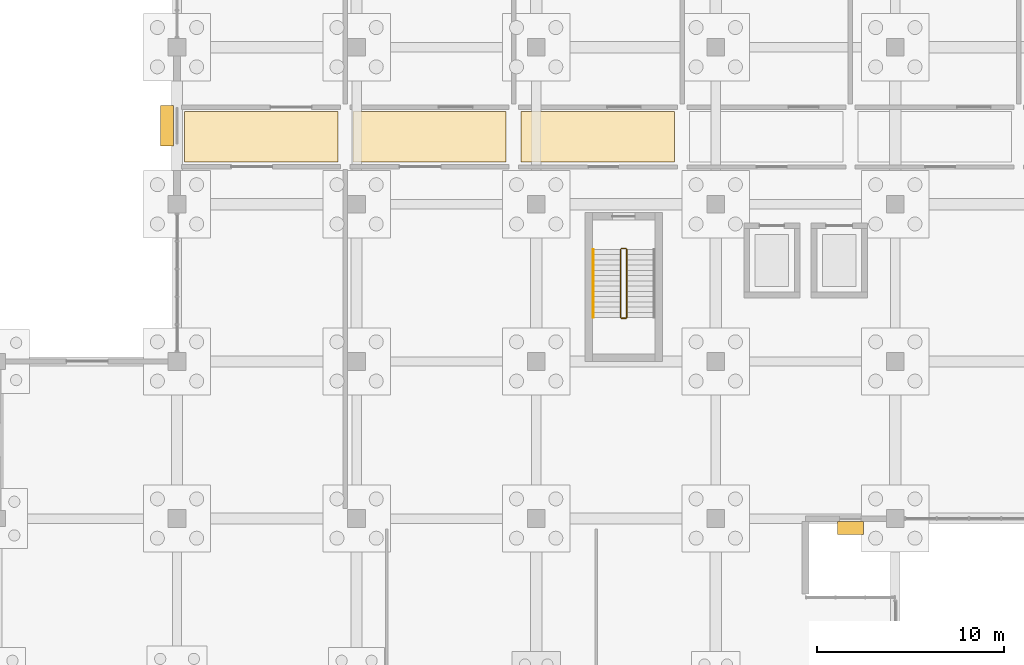
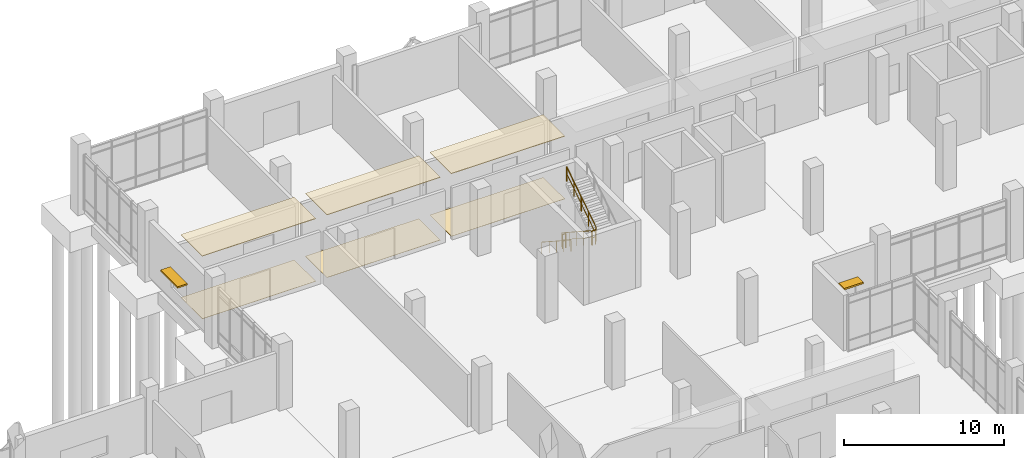
# One storey, part 132 of 136: 6 coverings, 5 railings, 2 shading devices.
"""IFC4 building model written with IfcOpenShell, lengths in metres."""

from ifc_helpers import new_model, si_unit, direction, frame, origin, origin_2d, place, context, subcontext, project, spatial, polyline, rectangle, circle, outline, extrude, material, layer, layer_set, type_object, element, save


model = new_model("IFC4")

# Units and contexts
model_context = context("Model", 3, precision=1e-05, world=origin(), true_north=direction((0.0, 1.0)))
body_context = subcontext(model_context, "Body", "Model", "MODEL_VIEW")
ifc_project = project(units=[si_unit("LENGTHUNIT", "METRE"), si_unit("AREAUNIT", "SQUARE_METRE"), si_unit("VOLUMEUNIT", "CUBIC_METRE"), si_unit("PLANEANGLEUNIT", "RADIAN"), si_unit("MASSUNIT", "GRAM", prefix="KILO")], contexts=[model_context])

# Site, building, storey
site_placement = place(None, origin())
site = spatial("IfcSite", under=ifc_project, at=site_placement, CompositionType="ELEMENT")
building_placement = place(site_placement, origin())
building = spatial("IfcBuilding", under=site, at=building_placement, Name="Oolite Switchyard Hospital", CompositionType="ELEMENT")
storey_placement = place(building_placement, origin())
storey = spatial("IfcBuildingStorey", under=building, at=storey_placement, Name="L00", CompositionType="ELEMENT", Elevation=0.0)

# Coverings
ifc_material_1 = material(Name="Hygienic washable mineral-fibre acoustic ceiling")
ifc_layer_1 = layer(ifc_material_1, 0.0400390625)
ifc_layer_set_1 = layer_set([ifc_layer_1], Name="COV-CEIL-AC60")
covering_type_1 = type_object("IfcCoveringType", Name="COV-CEIL-AC60", PredefinedType="CEILING", material=ifc_layer_set_1)
covering_1_placement = place(storey_placement, frame((0.0, 0.0, 4.784912109375)))
element("IfcCovering", 1, at=covering_1_placement, inside=storey, type_object=covering_type_1, Name="L00 East Ground Service and Exit Corridor L00 Ceiling 1", PredefinedType="CEILING", context=body_context, shape_type="SweptSolid", body=[
    extrude(outline(polyline([(134.800048828125, 119.85009765625), (143.0, 119.85009765625), (143.0, 122.550048828125), (134.800048828125, 122.550048828125), (134.800048828125, 119.85009765625)])), origin(), (0.0, 0.0, 1.0), 0.0400390625),
])
covering_2_placement = place(storey_placement, frame((0.0, 0.0, 4.784912109375)))
element("IfcCovering", 2, at=covering_2_placement, inside=storey, type_object=covering_type_1, Name="L00 East Ground Service and Exit Corridor L00 Ceiling 2", PredefinedType="CEILING", context=body_context, shape_type="SweptSolid", body=[
    extrude(outline(polyline([(143.800048828125, 119.85009765625), (152.0, 119.85009765625), (152.0, 122.550048828125), (143.800048828125, 122.550048828125), (143.800048828125, 119.85009765625)])), origin(), (0.0, 0.0, 1.0), 0.0400390625),
])
covering_3_placement = place(storey_placement, frame((0.0, 0.0, 4.784912109375)))
element("IfcCovering", 3, at=covering_3_placement, inside=storey, type_object=covering_type_1, Name="L00 East Ground Service and Exit Corridor L00 Ceiling 3", PredefinedType="CEILING", context=body_context, shape_type="SweptSolid", body=[
    extrude(outline(polyline([(152.800048828125, 119.85009765625), (161.0, 119.85009765625), (161.0, 122.550048828125), (152.800048828125, 122.550048828125), (152.800048828125, 119.85009765625)])), origin(), (0.0, 0.0, 1.0), 0.0400390625),
])
ifc_material_2 = material(Name="Epoxy terrazzo seamless clinical flooring")
ifc_layer_2 = layer(ifc_material_2, 0.02001953125)
ifc_layer_set_2 = layer_set([ifc_layer_2], Name="COV-FLR-TER20")
covering_type_2 = type_object("IfcCoveringType", Name="COV-FLR-TER20", PredefinedType="FLOORING", material=ifc_layer_set_2)
covering_4_placement = place(storey_placement, origin())
element("IfcCovering", 4, at=covering_4_placement, inside=storey, type_object=covering_type_2, Name="L00 East Ground Service and Exit Corridor L00 Flooring 1", PredefinedType="FLOORING", context=body_context, shape_type="SweptSolid", body=[
    extrude(outline(polyline([(134.800048828125, 119.85009765625), (143.0, 119.85009765625), (143.0, 122.550048828125), (134.800048828125, 122.550048828125), (134.800048828125, 119.85009765625)])), origin(), (0.0, 0.0, 1.0), 0.02001953125),
])
covering_5_placement = place(storey_placement, origin())
element("IfcCovering", 5, at=covering_5_placement, inside=storey, type_object=covering_type_2, Name="L00 East Ground Service and Exit Corridor L00 Flooring 2", PredefinedType="FLOORING", context=body_context, shape_type="SweptSolid", body=[
    extrude(outline(polyline([(143.800048828125, 119.85009765625), (152.0, 119.85009765625), (152.0, 122.550048828125), (143.800048828125, 122.550048828125), (143.800048828125, 119.85009765625)])), origin(), (0.0, 0.0, 1.0), 0.02001953125),
])
covering_6_placement = place(storey_placement, origin())
element("IfcCovering", 6, at=covering_6_placement, inside=storey, type_object=covering_type_2, Name="L00 East Ground Service and Exit Corridor L00 Flooring 3", PredefinedType="FLOORING", context=body_context, shape_type="SweptSolid", body=[
    extrude(outline(polyline([(152.800048828125, 119.85009765625), (161.0, 119.85009765625), (161.0, 122.550048828125), (152.800048828125, 122.550048828125), (152.800048828125, 119.85009765625)])), origin(), (0.0, 0.0, 1.0), 0.02001953125),
])

# Railings
ifc_material_3 = material(Name="Galvanized painted architectural steel handrail", Category="steel")
railing_type_1 = type_object("IfcRailingType", Name="RL-STAIR-GRD", PredefinedType="GUARDRAIL", material=ifc_material_3)
railing_1_placement = place(storey_placement, frame((158.110107421875, 115.18994140625, 0.18212890625)))
element("IfcRailing", 7, at=railing_1_placement, inside=storey, type_object=railing_type_1, Name="L00 ST-03 stair guard 1", PredefinedType="GUARDRAIL", context=body_context, shape_type="SweptSolid", body=[
    extrude(circle(Radius=0.02392578125, at=origin_2d()), frame((0.0, 0.0, 1.076171875), z_axis=(0.0, -0.838234174257, 0.545310433706), x_axis=(1.0, 0.0, 0.0)), (0.0, 0.0, 1.0), 4.34228515625),
    extrude(circle(Radius=0.015625, at=origin_2d()), frame((0.0, 0.0, 0.550048828125), z_axis=(0.0, -0.838234174257, 0.545310433706), x_axis=(1.0, 0.0, 0.0)), (0.0, 0.0, 1.0), 4.34228515625),
    extrude(circle(Radius=0.02099609375, at=origin_2d()), origin(), (0.0, 0.0, 1.0), 1.052001953125),
    extrude(circle(Radius=0.02099609375, at=origin_2d()), frame((0.0, -0.909912109375, 0.592041015625)), (0.0, 0.0, 1.0), 1.052001953125),
    extrude(circle(Radius=0.02099609375, at=origin_2d()), frame((0.0, -1.81982421875, 1.18408203125)), (0.0, 0.0, 1.0), 1.052001953125),
    extrude(circle(Radius=0.02099609375, at=origin_2d()), frame((0.0, -2.72998046875, 1.77587890625)), (0.0, 0.0, 1.0), 1.052001953125),
    extrude(circle(Radius=0.02099609375, at=origin_2d()), frame((0.0, -3.639892578125, 2.367919921875)), (0.0, 0.0, 1.0), 1.052001953125),
])
railing_2_placement = place(storey_placement, frame((158.159912109375, 111.5, 2.550048828125)))
element("IfcRailing", 8, at=railing_2_placement, inside=storey, type_object=railing_type_1, Name="L00 ST-03 stair guard 2", PredefinedType="GUARDRAIL", context=body_context, shape_type="SweptSolid", body=[
    extrude(circle(Radius=0.02392578125, at=origin_2d()), frame((0.0, 0.0, 1.076171875), z_axis=(1.0, 0.0, 0.0), x_axis=(0.0, 1.0, 0.0)), (0.0, 0.0, 1.0), 0.239990234375),
    extrude(circle(Radius=0.015625, at=origin_2d()), frame((0.0, 0.0, 0.550048828125), z_axis=(1.0, 0.0, 0.0), x_axis=(0.0, 1.0, 0.0)), (0.0, 0.0, 1.0), 0.239990234375),
    extrude(circle(Radius=0.02099609375, at=origin_2d()), origin(), (0.0, 0.0, 1.0), 1.052001953125),
    extrude(circle(Radius=0.02099609375, at=origin_2d()), frame((0.239990234375, 0.0, 0.0)), (0.0, 0.0, 1.0), 1.052001953125),
])
railing_3_placement = place(storey_placement, frame((158.449951171875, 111.550048828125, 2.732177734375)))
element("IfcRailing", 9, at=railing_3_placement, inside=storey, type_object=railing_type_1, Name="L00 ST-03 stair guard 3", PredefinedType="GUARDRAIL", context=body_context, shape_type="SweptSolid", body=[
    extrude(circle(Radius=0.02392578125, at=origin_2d()), frame((0.0, 0.0, 1.076171875), z_axis=(0.0, 0.838234174257, 0.545310433706), x_axis=(-1.0, 0.0, 0.0)), (0.0, 0.0, 1.0), 4.34228515625),
    extrude(circle(Radius=0.015625, at=origin_2d()), frame((0.0, 0.0, 0.550048828125), z_axis=(0.0, 0.838234174257, 0.545310433706), x_axis=(-1.0, 0.0, 0.0)), (0.0, 0.0, 1.0), 4.34228515625),
    extrude(circle(Radius=0.02099609375, at=origin_2d()), origin(), (0.0, 0.0, 1.0), 1.052001953125),
    extrude(circle(Radius=0.02099609375, at=origin_2d()), frame((0.0, 0.909912109375, 0.592041015625)), (0.0, 0.0, 1.0), 1.052001953125),
    extrude(circle(Radius=0.02099609375, at=origin_2d()), frame((0.0, 1.81982421875, 1.18408203125)), (0.0, 0.0, 1.0), 1.052001953125),
    extrude(circle(Radius=0.02099609375, at=origin_2d()), frame((0.0, 2.72998046875, 1.77587890625)), (0.0, 0.0, 1.0), 1.052001953125),
    extrude(circle(Radius=0.02099609375, at=origin_2d()), frame((0.0, 3.639892578125, 2.367919921875)), (0.0, 0.0, 1.0), 1.052001953125),
])
railing_4_placement = place(storey_placement, frame((158.159912109375, 115.239990234375, 0.0)))
element("IfcRailing", 10, at=railing_4_placement, inside=storey, type_object=railing_type_1, Name="L00 ST-03 stair guard 4", PredefinedType="GUARDRAIL", context=body_context, shape_type="SweptSolid", body=[
    extrude(circle(Radius=0.02392578125, at=origin_2d()), frame((0.0, 0.0, 1.076171875), z_axis=(1.0, 0.0, 0.0), x_axis=(0.0, 1.0, 0.0)), (0.0, 0.0, 1.0), 0.239990234375),
    extrude(circle(Radius=0.015625, at=origin_2d()), frame((0.0, 0.0, 0.550048828125), z_axis=(1.0, 0.0, 0.0), x_axis=(0.0, 1.0, 0.0)), (0.0, 0.0, 1.0), 0.239990234375),
    extrude(circle(Radius=0.02099609375, at=origin_2d()), origin(), (0.0, 0.0, 1.0), 1.052001953125),
    extrude(circle(Radius=0.02099609375, at=origin_2d()), frame((0.239990234375, 0.0, 0.0)), (0.0, 0.0, 1.0), 1.052001953125),
])
railing_type_2 = type_object("IfcRailingType", Name="RL-STAIR-HND", PredefinedType="HANDRAIL", material=ifc_material_3)
railing_5_placement = place(storey_placement, frame((156.64990234375, 115.18994140625, 0.18212890625)))
element("IfcRailing", 11, at=railing_5_placement, inside=storey, type_object=railing_type_2, Name="L00 ST-03 stair handrail 1", PredefinedType="HANDRAIL", context=body_context, shape_type="SweptSolid", body=[
    extrude(circle(Radius=0.02392578125, at=origin_2d()), frame((0.0, 0.0, 0.8759765625), z_axis=(0.0, -0.838234174257, 0.545310433706), x_axis=(1.0, 0.0, 0.0)), (0.0, 0.0, 1.0), 4.34228515625),
    extrude(circle(Radius=0.02099609375, at=origin_2d()), origin(), (0.0, 0.0, 1.0), 0.851806640625),
    extrude(circle(Radius=0.02099609375, at=origin_2d()), frame((0.0, -0.909912109375, 0.592041015625)), (0.0, 0.0, 1.0), 0.851806640625),
    extrude(circle(Radius=0.02099609375, at=origin_2d()), frame((0.0, -1.81982421875, 1.18408203125)), (0.0, 0.0, 1.0), 0.851806640625),
    extrude(circle(Radius=0.02099609375, at=origin_2d()), frame((0.0, -2.72998046875, 1.77587890625)), (0.0, 0.0, 1.0), 0.851806640625),
    extrude(circle(Radius=0.02099609375, at=origin_2d()), frame((0.0, -3.639892578125, 2.367919921875)), (0.0, 0.0, 1.0), 0.851806640625),
])

# Shading devices
ifc_material_4 = material(Name="Precast oolitic limestone architectural concrete C40/50", Category="masonry")
ifc_layer_3 = layer(ifc_material_4, 0.1201171875)
ifc_layer_set_3 = layer_set([ifc_layer_3], Name="SHD-BRISE-900")
shading_device_type = type_object("IfcShadingDeviceType", Name="SHD-BRISE-900", PredefinedType="AWNING", material=ifc_layer_set_3)
shading_device_1_placement = place(storey_placement, frame((170.39990234375, 100.300048828125, 2.06005859375), z_axis=(0.0, 0.0, 1.0), x_axis=(1.0, 0.0, 0.0)))
element("IfcShadingDevice", 12, at=shading_device_1_placement, inside=storey, type_object=shading_device_type, Name="L00 Classical Brise-Soleil Sunshade 4", PredefinedType="AWNING", context=body_context, shape_type="SweptSolid", body=[
    extrude(rectangle(XDim=1.389892578125, YDim=0.699951171875, at=origin_2d()), origin(), (0.0, 0.0, 1.0), 0.1201171875),
])
shading_device_2_placement = place(storey_placement, frame((133.8701171875, 121.800048828125, 2.260009765625), z_axis=(0.0, 0.0, 1.0), x_axis=(0.0, 1.0, 0.0)))
element("IfcShadingDevice", 13, at=shading_device_2_placement, inside=storey, type_object=shading_device_type, Name="L00 Classical Brise-Soleil Sunshade 12", PredefinedType="AWNING", context=body_context, shape_type="SweptSolid", body=[
    extrude(rectangle(XDim=2.139892578125, YDim=0.699951171875, at=origin_2d()), origin(), (0.0, 0.0, 1.0), 0.1201171875),
])

save(model, "model.ifc")
